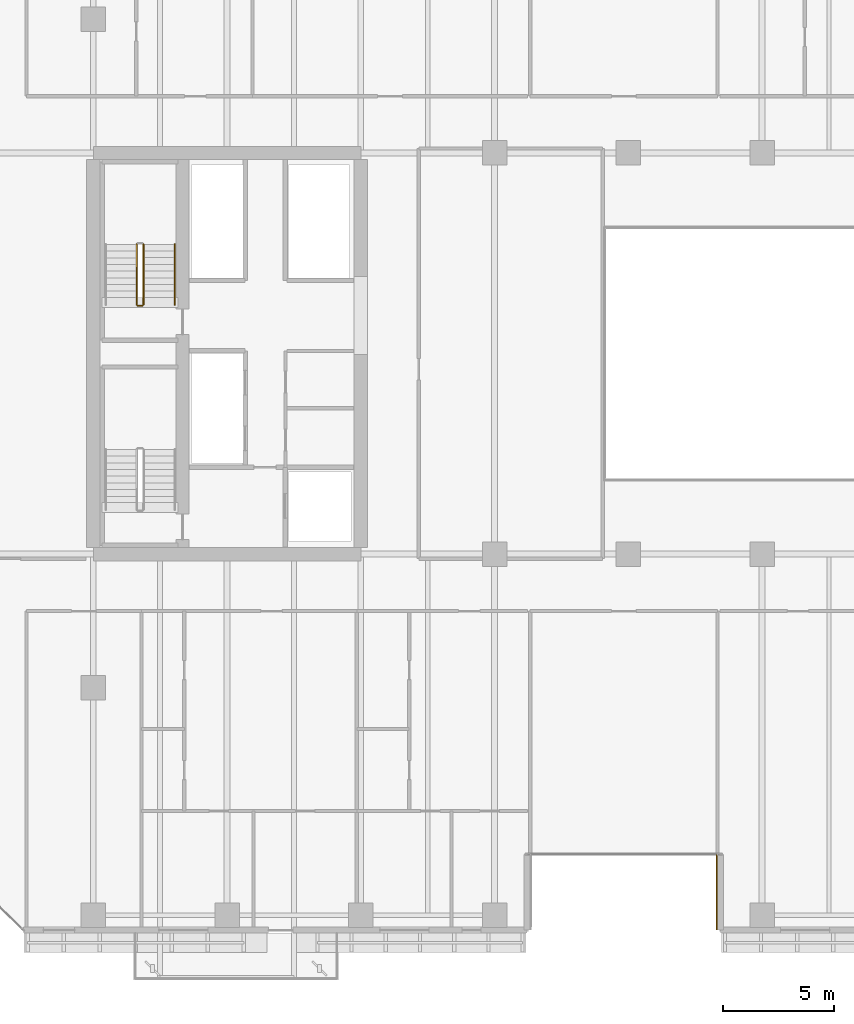
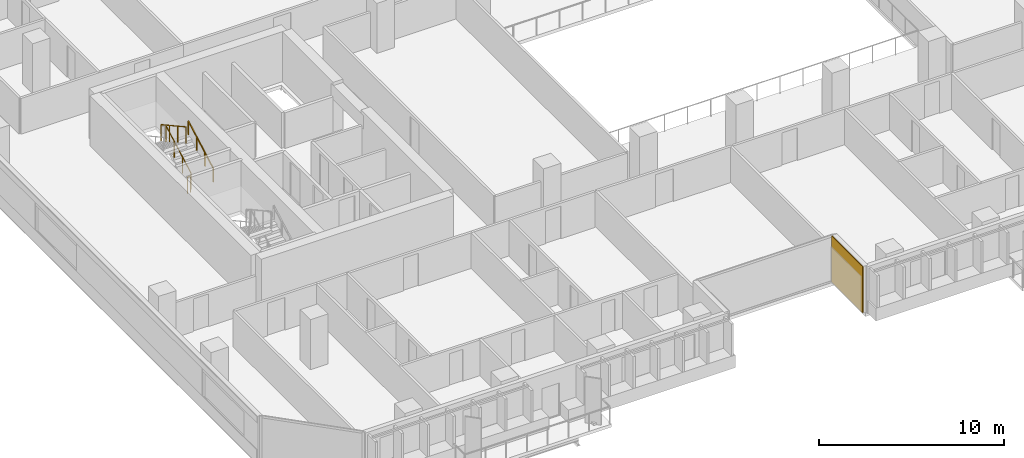
# One storey, part 28 of 34: 4 railings, 1 covering.
"""IFC4 building model written with IfcOpenShell, lengths in metres."""

from ifc_helpers import new_model, si_unit, direction, frame, origin, origin_2d, place, context, subcontext, project, spatial, rectangle, extrude, material, layer, layer_set, type_object, element, save


model = new_model("IFC4")

# Units and contexts
model_context = context("Model", 3, precision=1e-05, world=origin(), true_north=direction((0.0, 1.0)))
body_context = subcontext(model_context, "Body", "Model", "MODEL_VIEW")
ifc_project = project(units=[si_unit("LENGTHUNIT", "METRE"), si_unit("AREAUNIT", "SQUARE_METRE"), si_unit("VOLUMEUNIT", "CUBIC_METRE"), si_unit("PLANEANGLEUNIT", "RADIAN"), si_unit("MASSUNIT", "GRAM", prefix="KILO")], contexts=[model_context])

# Site, building, storey
site_placement = place(None, origin())
site = spatial("IfcSite", under=ifc_project, at=site_placement, CompositionType="ELEMENT")
building_placement = place(site_placement, origin())
building = spatial("IfcBuilding", under=site, at=building_placement, Name="Tanjung Sevakor Pilgrim Tower", CompositionType="ELEMENT")
storey_placement = place(building_placement, frame((0.0, 0.0, 55.43994140625)))
storey = spatial("IfcBuildingStorey", under=building, at=storey_placement, Name="L15", CompositionType="ELEMENT", Elevation=55.43994140625)

# Covering
ifc_material_1 = material(Name="Reconstructed Limestone Cladding", Category="masonry")
ifc_layer = layer(ifc_material_1, 0.044921875)
ifc_layer_set = layer_set([ifc_layer], Name="COV-CLAD-LIMESTONE")
covering_type = type_object("IfcCoveringType", Name="COV-CLAD-LIMESTONE", PredefinedType="CLADDING", material=ifc_layer_set)
covering_placement = place(storey_placement, frame((51.9775390625, 9.43994140625, 0.02001953125), z_axis=(0.0, 0.0, 1.0), x_axis=(0.0, -1.0, 0.0)))
element("IfcCovering", 1, at=covering_placement, inside=storey, type_object=covering_type, Name="L15 Warm Limestone Wall Cladding EW-L15-MAIN-4", PredefinedType="CLADDING", context=body_context, shape_type="SweptSolid", body=[
    extrude(rectangle(XDim=3.360107421875, YDim=0.044921875, at=origin_2d()), origin(), (0.0, 0.0, 1.0), 3.0400390625),
])

# Railings
ifc_material_2 = material(Name="Steel S355J2", Category="steel")
railing_type_1 = type_object("IfcRailingType", Name="RL-STAIR-GUARD", PredefinedType="GUARDRAIL", material=ifc_material_2)
railing_1_placement = place(storey_placement, frame((26.25, 35.800048828125, 0.1650390625)))
element("IfcRailing", 2, at=railing_1_placement, inside=storey, type_object=railing_type_1, Name="L15 TS-W2 stair guard 1", PredefinedType="GUARDRAIL", context=body_context, shape_type="SweptSolid", body=[
    extrude(rectangle(XDim=0.0479, YDim=0.0479), frame((0.0, 0.0, 1.076171875), z_axis=(0.0, 0.876197507361, 0.481952205197), x_axis=(-1.0, 0.0, 0.0)), (0.0, 0.0, 1.0), 3.08154296875),
    extrude(rectangle(XDim=0.042, YDim=0.042), origin(), (0.0, 0.0, 1.0), 1.052001953125),
    extrude(rectangle(XDim=0.042, YDim=0.042), frame((0.0, 0.89990234375, 0.4951171875)), (0.0, 0.0, 1.0), 1.052001953125),
    extrude(rectangle(XDim=0.042, YDim=0.042), frame((0.0, 1.800048828125, 0.989990234375)), (0.0, 0.0, 1.0), 1.052001953125),
    extrude(rectangle(XDim=0.042, YDim=0.042), frame((0.0, 2.699951171875, 1.485107421875)), (0.0, 0.0, 1.0), 1.052001953125),
])
railing_2_placement = place(storey_placement, frame((25.949951171875, 38.5, 1.81494140625)))
element("IfcRailing", 3, at=railing_2_placement, inside=storey, type_object=railing_type_1, Name="L15 TS-W2 stair guard 3", PredefinedType="GUARDRAIL", context=body_context, shape_type="SweptSolid", body=[
    extrude(rectangle(XDim=0.0479, YDim=0.0479), frame((0.0, 0.0, 1.076171875), z_axis=(0.0, -0.876197507361, 0.481952205197), x_axis=(1.0, 0.0, 0.0)), (0.0, 0.0, 1.0), 3.08154296875),
    extrude(rectangle(XDim=0.042, YDim=0.042), origin(), (0.0, 0.0, 1.0), 1.052001953125),
    extrude(rectangle(XDim=0.042, YDim=0.042), frame((0.0, -0.89990234375, 0.4951171875)), (0.0, 0.0, 1.0), 1.052001953125),
    extrude(rectangle(XDim=0.042, YDim=0.042), frame((0.0, -1.800048828125, 0.989990234375)), (0.0, 0.0, 1.0), 1.052001953125),
    extrude(rectangle(XDim=0.042, YDim=0.042), frame((0.0, -2.699951171875, 1.485107421875)), (0.0, 0.0, 1.0), 1.052001953125),
])
railing_3_placement = place(storey_placement, frame((26.199951171875, 35.75, 0.0)))
element("IfcRailing", 4, at=railing_3_placement, inside=storey, type_object=railing_type_1, Name="L15 TS-W2 stair guard 4", PredefinedType="GUARDRAIL", context=body_context, shape_type="SweptSolid", body=[
    extrude(rectangle(XDim=0.0479, YDim=0.0479), frame((0.0, 0.0, 1.076171875), z_axis=(-1.0, 0.0, 0.0), x_axis=(0.0, -1.0, 0.0)), (0.0, 0.0, 1.0), 0.199951171875),
    extrude(rectangle(XDim=0.042, YDim=0.042), origin(), (0.0, 0.0, 1.0), 1.052001953125),
    extrude(rectangle(XDim=0.042, YDim=0.042), frame((-0.199951171875, 0.0, 0.0)), (0.0, 0.0, 1.0), 1.052001953125),
])
ifc_material_3 = material(Name="Steel S355J2", Category="steel")
railing_type_2 = type_object("IfcRailingType", Name="RL-STAIR-HAND", PredefinedType="HANDRAIL", material=ifc_material_3)
railing_4_placement = place(storey_placement, frame((27.64990234375, 35.800048828125, 0.1650390625)))
element("IfcRailing", 5, at=railing_4_placement, inside=storey, type_object=railing_type_2, Name="L15 TS-W2 stair handrail 1", PredefinedType="HANDRAIL", context=body_context, shape_type="SweptSolid", body=[
    extrude(rectangle(XDim=0.0479, YDim=0.0479), frame((0.0, 0.0, 0.8759765625), z_axis=(0.0, 0.876197507361, 0.481952205197), x_axis=(-1.0, 0.0, 0.0)), (0.0, 0.0, 1.0), 3.08154296875),
    extrude(rectangle(XDim=0.042, YDim=0.042), origin(), (0.0, 0.0, 1.0), 0.851806640625),
    extrude(rectangle(XDim=0.042, YDim=0.042), frame((0.0, 0.89990234375, 0.4951171875)), (0.0, 0.0, 1.0), 0.851806640625),
    extrude(rectangle(XDim=0.042, YDim=0.042), frame((0.0, 1.800048828125, 0.989990234375)), (0.0, 0.0, 1.0), 0.851806640625),
    extrude(rectangle(XDim=0.042, YDim=0.042), frame((0.0, 2.699951171875, 1.485107421875)), (0.0, 0.0, 1.0), 0.851806640625),
])

save(model, "model.ifc")
